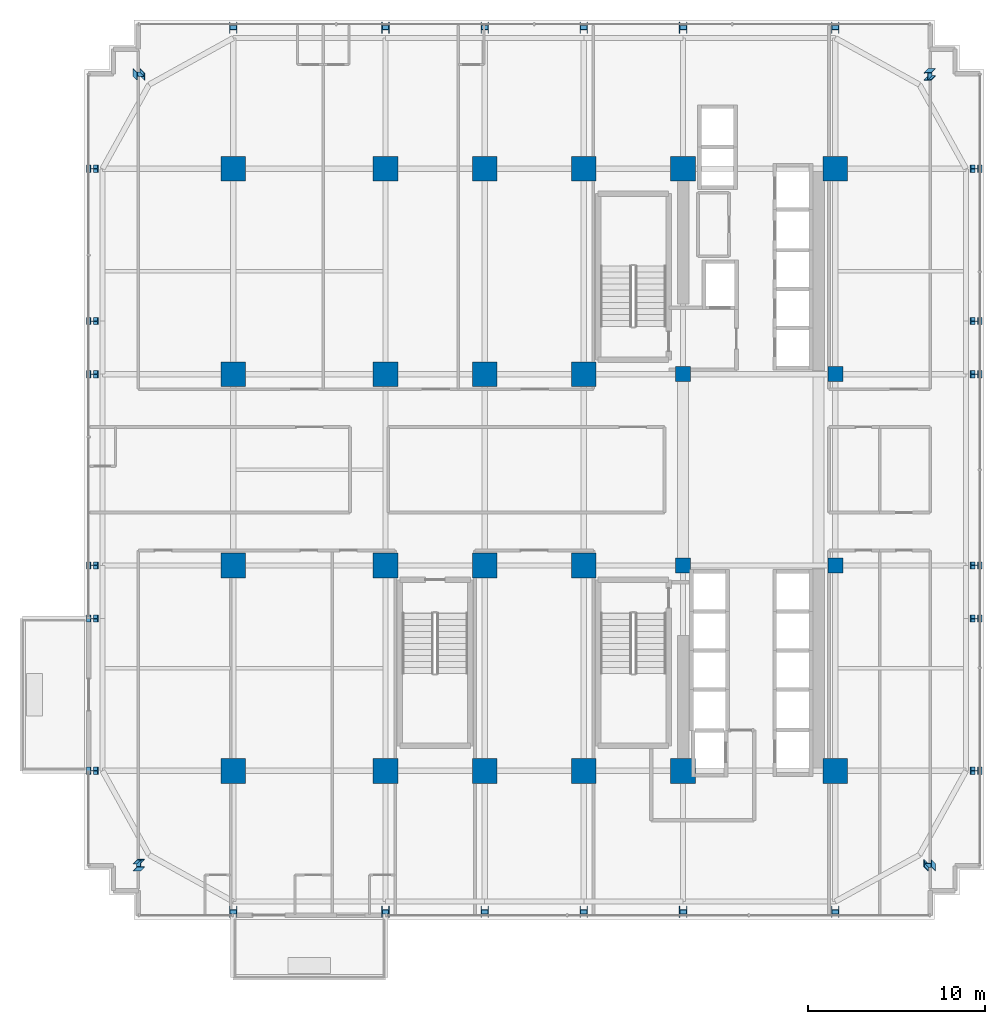
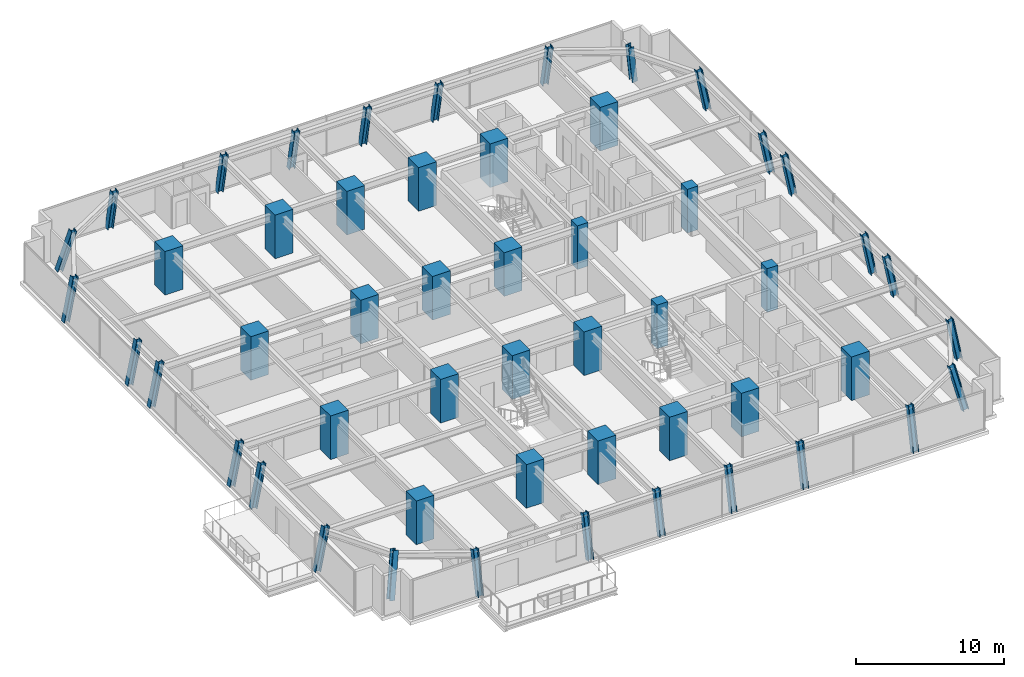
# One storey, part 1 of 35: 52 columns.
"""IFC4 building model written with IfcOpenShell, lengths in metres."""

from ifc_helpers import new_model, si_unit, direction, frame, origin, origin_2d, place, context, subcontext, project, spatial, rectangle, i_section, extrude, source, transform, mapped, material, material_profile, profile_set, type_object, element, save


model = new_model("IFC4")

# Units and contexts
model_context = context("Model", 3, precision=1e-05, world=origin(), true_north=direction((0.0, 1.0)))
body_context = subcontext(model_context, "Body", "Model", "MODEL_VIEW")
ifc_project = project(units=[si_unit("LENGTHUNIT", "METRE"), si_unit("AREAUNIT", "SQUARE_METRE"), si_unit("VOLUMEUNIT", "CUBIC_METRE"), si_unit("PLANEANGLEUNIT", "RADIAN"), si_unit("MASSUNIT", "GRAM", prefix="KILO")], contexts=[model_context])

# Site, building, storey
site_placement = place(None, origin())
site = spatial("IfcSite", under=ifc_project, at=site_placement, CompositionType="ELEMENT")
building_placement = place(site_placement, origin())
building = spatial("IfcBuilding", under=site, at=building_placement, Name="Nahalor Promenade Grand Hotel", CompositionType="ELEMENT")
storey_placement = place(building_placement, frame((0.0, 0.0, 79.85009765625)))
storey = spatial("IfcBuildingStorey", under=building, at=storey_placement, Name="L19", CompositionType="ELEMENT", Elevation=79.85009765625)

# Columns
ifc_material_1 = material(Name="Concrete B-70 (C60/75)", Category="concrete")
ifc_material_profile_1 = material_profile(ifc_material_1, rectangle(XDim=1.4, YDim=1.4, at=origin_2d()), Name="RC 1400x1400")
ifc_profile_set_1 = profile_set([ifc_material_profile_1], Name="Concrete B-70 (C60/75)")
column_type_1 = type_object("IfcColumnType", Name="Col-RC-1400", PredefinedType="COLUMN", material=ifc_profile_set_1)
shared_shape_1 = source(origin(), body_context, "Body", "SweptSolid", [
    extrude(rectangle(XDim=1.4, YDim=1.4, at=origin_2d()), origin(), (0.0, 0.0, 1.0), 3.60498046875),
])
for number, where, z_axis, x_axis, name in (
    (1, (-17.0, -17.0, 0.0), (0.0, 0.0, 1.0), (1.0, 0.0, 0.0), "COL-L19-I00"),
    (2, (-17.0, -5.39990234375, 0.0), (0.0, 0.0, 1.0), (1.0, 0.0, 0.0), "COL-L19-I01"),
    (3, (-17.0, 5.39990234375, 0.0), (0.0, 0.0, 1.0), (1.0, 0.0, 0.0), "COL-L19-I02"),
    (4, (-17.0, 17.0, 0.0), (0.0, 0.0, 1.0), (1.0, 0.0, 0.0), "COL-L19-I03"),
    (5, (-8.39990234375, -17.0, 0.0), (0.0, 0.0, 1.0), (1.0, 0.0, 0.0), "COL-L19-I10"),
    (6, (-8.39990234375, -5.39990234375, 0.0), (0.0, 0.0, 1.0), (1.0, 0.0, 0.0), "COL-L19-I11"),
    (7, (-8.39990234375, 5.39990234375, 0.0), (0.0, 0.0, 1.0), (1.0, 0.0, 0.0), "COL-L19-I12"),
    (8, (-8.39990234375, 17.0, 0.0), (0.0, 0.0, 1.0), (1.0, 0.0, 0.0), "COL-L19-I13"),
    (9, (-2.800048828125, -17.0, 0.0), (0.0, 0.0, 1.0), (1.0, 0.0, 0.0), "COL-L19-I20"),
    (10, (-2.800048828125, -5.39990234375, 0.0), (0.0, 0.0, 1.0), (1.0, 0.0, 0.0), "COL-L19-I21"),
    (11, (-2.800048828125, 5.39990234375, 0.0), (0.0, 0.0, 1.0), (1.0, 0.0, 0.0), "COL-L19-I22"),
    (12, (-2.800048828125, 17.0, 0.0), (0.0, 0.0, 1.0), (1.0, 0.0, 0.0), "COL-L19-I23"),
    (13, (2.800048828125, -17.0, 0.0), (0.0, 0.0, 1.0), (1.0, 0.0, 0.0), "COL-L19-I30"),
    (14, (2.800048828125, -5.39990234375, 0.0), (0.0, 0.0, 1.0), (1.0, 0.0, 0.0), "COL-L19-I31"),
    (15, (2.800048828125, 5.39990234375, 0.0), (0.0, 0.0, 1.0), (1.0, 0.0, 0.0), "COL-L19-I32"),
    (16, (2.800048828125, 17.0, 0.0), (0.0, 0.0, 1.0), (1.0, 0.0, 0.0), "COL-L19-I33"),
    (17, (8.39990234375, -17.0, 0.0), (0.0, 0.0, 1.0), (1.0, 0.0, 0.0), "COL-L19-I40"),
    (18, (8.39990234375, 17.0, 0.0), (0.0, 0.0, 1.0), (1.0, 0.0, 0.0), "COL-L19-I43"),
    (19, (17.0, -17.0, 0.0), (0.0, 0.0, 1.0), (1.0, 0.0, 0.0), "COL-L19-I50"),
    (20, (17.0, 17.0, 0.0), (0.0, 0.0, 1.0), (1.0, 0.0, 0.0), "COL-L19-I53"),
):
    element("IfcColumn", number, at=place(storey_placement, frame(where, z_axis=z_axis, x_axis=x_axis)), inside=storey, type_object=column_type_1, Name=name, PredefinedType="COLUMN", context=body_context, shape_type="MappedRepresentation", body=[
        mapped(shared_shape_1, transform((0.0, 0.0, 0.0), scale=1.0)),
    ])
ifc_material_profile_2 = material_profile(ifc_material_1, rectangle(XDim=0.85, YDim=0.85, at=origin_2d()), Name="RC 850x850")
ifc_profile_set_2 = profile_set([ifc_material_profile_2], Name="Concrete B-70 (C60/75)")
column_type_2 = type_object("IfcColumnType", Name="Col-Pilaster-850", PredefinedType="PILASTER", material=ifc_profile_set_2)
shared_shape_2 = source(origin(), body_context, "Body", "SweptSolid", [
    extrude(rectangle(XDim=0.85, YDim=0.85, at=origin_2d()), origin(), (0.0, 0.0, 1.0), 3.60498046875),
])
for number, where, z_axis, x_axis, name in (
    (21, (8.39990234375, -5.39990234375, 0.0), (0.0, 0.0, 1.0), (1.0, 0.0, 0.0), "COL-L19-I41"),
    (22, (8.39990234375, 5.39990234375, 0.0), (0.0, 0.0, 1.0), (1.0, 0.0, 0.0), "COL-L19-I42"),
    (23, (17.0, -5.39990234375, 0.0), (0.0, 0.0, 1.0), (1.0, 0.0, 0.0), "COL-L19-I51"),
    (24, (17.0, 5.39990234375, 0.0), (0.0, 0.0, 1.0), (1.0, 0.0, 0.0), "COL-L19-I52"),
):
    element("IfcColumn", number, at=place(storey_placement, frame(where, z_axis=z_axis, x_axis=x_axis)), inside=storey, type_object=column_type_2, Name=name, PredefinedType="PILASTER", context=body_context, shape_type="MappedRepresentation", body=[
        mapped(shared_shape_2, transform((0.0, 0.0, 0.0), scale=1.0)),
    ])
ifc_material_2 = material(Name="Steel S355J2", Category="steel")
ifc_material_profile_3 = material_profile(ifc_material_2, i_section(OverallWidth=0.412, OverallDepth=0.438, WebThickness=0.0226, FlangeThickness=0.0365, at=origin_2d()), Name="HD 400x463")
ifc_profile_set_3 = profile_set([ifc_material_profile_3], Name="Steel S355J2")
column_type_3 = type_object("IfcColumnType", Name="Col-Steel-HD463", PredefinedType="COLUMN", material=ifc_profile_set_3)
shared_shape_3 = source(origin(), body_context, "Body", "SweptSolid", [
    extrude(i_section(OverallWidth=0.412, OverallDepth=0.438, WebThickness=0.0226, FlangeThickness=0.0365, at=origin_2d()), origin(), (0.0, 0.0, 1.0), 3.57421875),
])
for number, where, z_axis, x_axis, name in (
    (25, (-25.080078125, -17.0, 0.0), (0.195905953663, 0.0, 0.98062268856), (0.0, 1.0, 0.0), "COL-L19-PW-W0"),
    (26, (25.080078125, -17.0, 0.0), (-0.195905953663, 0.0, 0.98062268856), (0.0, -1.0, 0.0), "COL-L19-PW-E0"),
    (27, (-25.080078125, -8.39990234375, 0.0), (0.195905953663, 0.0, 0.98062268856), (0.0, 1.0, 0.0), "COL-L19-PW-W1"),
    (28, (25.080078125, -8.39990234375, 0.0), (-0.195905953663, 0.0, 0.98062268856), (0.0, -1.0, 0.0), "COL-L19-PW-E1"),
    (29, (-25.080078125, -5.39990234375, 0.0), (0.195905953663, 0.0, 0.98062268856), (0.0, 1.0, 0.0), "COL-L19-PW-W2"),
    (30, (25.080078125, -5.39990234375, 0.0), (-0.195905953663, 0.0, 0.98062268856), (0.0, -1.0, 0.0), "COL-L19-PW-E2"),
    (31, (-25.080078125, 5.39990234375, 0.0), (0.195905953663, 0.0, 0.98062268856), (0.0, 1.0, 0.0), "COL-L19-PW-W3"),
    (32, (25.080078125, 5.39990234375, 0.0), (-0.195905953663, 0.0, 0.98062268856), (0.0, -1.0, 0.0), "COL-L19-PW-E3"),
    (33, (-25.080078125, 8.39990234375, 0.0), (0.195905953663, 0.0, 0.98062268856), (0.0, 1.0, 0.0), "COL-L19-PW-W4"),
    (34, (25.080078125, 8.39990234375, 0.0), (-0.195905953663, 0.0, 0.98062268856), (0.0, -1.0, 0.0), "COL-L19-PW-E4"),
    (35, (-25.080078125, 17.0, 0.0), (0.195905953663, 0.0, 0.98062268856), (0.0, 1.0, 0.0), "COL-L19-PW-W5"),
    (36, (25.080078125, 17.0, 0.0), (-0.195905953663, 0.0, 0.98062268856), (0.0, -1.0, 0.0), "COL-L19-PW-E5"),
    (37, (-17.0, -25.080078125, 0.0), (0.0, 0.195905953663, 0.98062268856), (0.0, -0.98062268856, 0.195905953663), "COL-L19-PN-S0"),
    (38, (-17.0, 25.080078125, 0.0), (0.0, -0.195905953663, 0.98062268856), (0.0, 0.98062268856, 0.195905953663), "COL-L19-PN-N0"),
    (39, (-8.39990234375, -25.080078125, 0.0), (0.0, 0.195905953663, 0.98062268856), (0.0, -0.98062268856, 0.195905953663), "COL-L19-PN-S1"),
    (40, (-8.39990234375, 25.080078125, 0.0), (0.0, -0.195905953663, 0.98062268856), (0.0, 0.98062268856, 0.195905953663), "COL-L19-PN-N1"),
    (41, (-2.800048828125, -25.080078125, 0.0), (0.0, 0.195905953663, 0.98062268856), (0.0, -0.98062268856, 0.195905953663), "COL-L19-PN-S2"),
    (42, (-2.800048828125, 25.080078125, 0.0), (0.0, -0.195905953663, 0.98062268856), (0.0, 0.98062268856, 0.195905953663), "COL-L19-PN-N2"),
    (43, (2.800048828125, -25.080078125, 0.0), (0.0, 0.195905953663, 0.98062268856), (0.0, -0.98062268856, 0.195905953663), "COL-L19-PN-S3"),
    (44, (2.800048828125, 25.080078125, 0.0), (0.0, -0.195905953663, 0.98062268856), (0.0, 0.98062268856, 0.195905953663), "COL-L19-PN-N3"),
    (45, (8.39990234375, -25.080078125, 0.0), (0.0, 0.195905953663, 0.98062268856), (0.0, -0.98062268856, 0.195905953663), "COL-L19-PN-S4"),
    (46, (8.39990234375, 25.080078125, 0.0), (0.0, -0.195905953663, 0.98062268856), (0.0, 0.98062268856, 0.195905953663), "COL-L19-PN-N4"),
    (47, (17.0, -25.080078125, 0.0), (0.0, 0.195905953663, 0.98062268856), (0.0, -0.98062268856, 0.195905953663), "COL-L19-PN-S5"),
    (48, (17.0, 25.080078125, 0.0), (0.0, -0.195905953663, 0.98062268856), (0.0, 0.98062268856, 0.195905953663), "COL-L19-PN-N5"),
):
    element("IfcColumn", number, at=place(storey_placement, frame(where, z_axis=z_axis, x_axis=x_axis)), inside=storey, type_object=column_type_3, Name=name, PredefinedType="COLUMN", context=body_context, shape_type="MappedRepresentation", body=[
        mapped(shared_shape_3, transform((0.0, 0.0, 0.0), scale=1.0)),
    ])
shared_shape_4 = source(origin(), body_context, "Body", "SweptSolid", [
    extrude(i_section(OverallWidth=0.412, OverallDepth=0.438, WebThickness=0.0226, FlangeThickness=0.0365, at=origin_2d()), origin(), (0.0, 0.0, 1.0), 3.64208984375),
])
for number, where, z_axis, x_axis, name in (
    (49, (-22.449951171875, -22.449951171875, 0.0), (0.192189383885, 0.192189383885, 0.962354654711), (-0.981177327355, 0.018822672645, 0.192189383885), "COL-L19-CRN-SW"),
    (50, (-22.449951171875, 22.449951171875, 0.0), (0.192189383885, -0.192189383885, 0.962354654711), (0.018822672645, 0.981177327355, 0.192189383885), "COL-L19-CRN-NW"),
    (51, (22.449951171875, -22.449951171875, 0.0), (-0.192189383885, 0.192189383885, 0.962354654711), (-0.018822672645, -0.981177327355, 0.192189383885), "COL-L19-CRN-SE"),
    (52, (22.449951171875, 22.449951171875, 0.0), (-0.192189383885, -0.192189383885, 0.962354654711), (0.981177327355, -0.018822672645, 0.192189383885), "COL-L19-CRN-NE"),
):
    element("IfcColumn", number, at=place(storey_placement, frame(where, z_axis=z_axis, x_axis=x_axis)), inside=storey, type_object=column_type_3, Name=name, PredefinedType="COLUMN", context=body_context, shape_type="MappedRepresentation", body=[
        mapped(shared_shape_4, transform((0.0, 0.0, 0.0), scale=1.0)),
    ])

save(model, "model.ifc")
